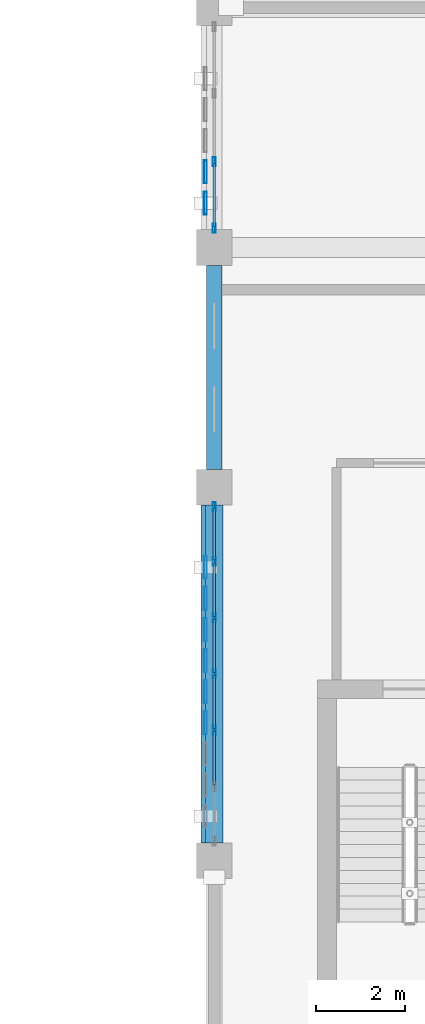
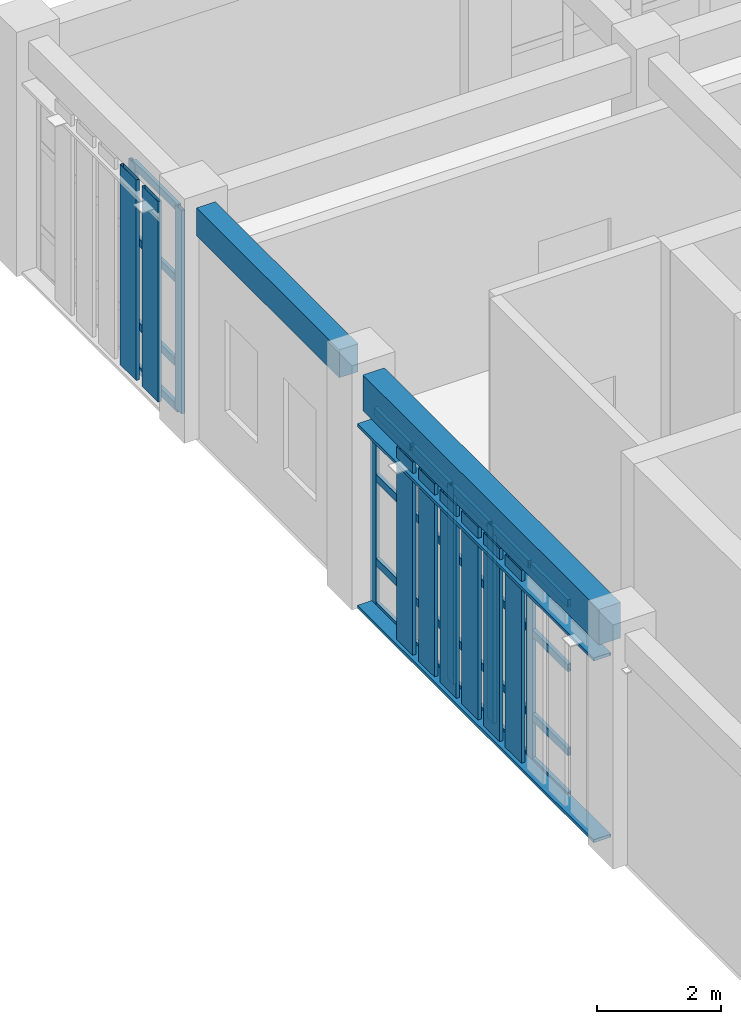
# One storey, part 41 of 76: 41 members, 2 beams, 2 elements without a shape of their own.
"""IFC4 building model written with IfcOpenShell, lengths in metres."""

from ifc_helpers import new_model, si_unit, direction, frame, origin, origin_2d, place, context, subcontext, project, spatial, rectangle, hollow_rectangle, extrude, material, layer, layer_set, material_profile, profile_set, type_object, element, aggregate, save


model = new_model("IFC4")

# Units and contexts
model_context = context("Model", 3, precision=1e-05, world=origin(), true_north=direction((0.0, 1.0)))
body_context = subcontext(model_context, "Body", "Model", "MODEL_VIEW")
ifc_project = project(units=[si_unit("LENGTHUNIT", "METRE"), si_unit("AREAUNIT", "SQUARE_METRE"), si_unit("VOLUMEUNIT", "CUBIC_METRE"), si_unit("PLANEANGLEUNIT", "RADIAN"), si_unit("MASSUNIT", "GRAM", prefix="KILO")], contexts=[model_context])

# Site, building, storey
site_placement = place(None, origin())
site = spatial("IfcSite", under=ifc_project, at=site_placement, CompositionType="ELEMENT")
building_placement = place(site_placement, origin())
building = spatial("IfcBuilding", under=site, at=building_placement, Name="Krzemoval Escarpment Law Courts", CompositionType="ELEMENT")
storey_placement = place(building_placement, frame((0.0, 0.0, 20.39990234375)))
storey = spatial("IfcBuildingStorey", under=building, at=storey_placement, Name="L04", CompositionType="ELEMENT", Elevation=20.39990234375)

# Beams
ifc_material_1 = material(Name="Concrete C40/50", Category="concrete")
ifc_material_profile_1 = material_profile(ifc_material_1, rectangle(XDim=0.35009765625, YDim=0.550048828125, at=origin_2d()), Name="RCB 350x550")
ifc_profile_set_1 = profile_set([ifc_material_profile_1], Name="Concrete C40/50")
beam_type_1 = type_object("IfcBeamType", Name="BM-RC-350x550", PredefinedType="BEAM", material=ifc_profile_set_1)
beam_1_placement = place(storey_placement, frame((126.0, 108.39990234375, 4.275146484375), z_axis=(0.0, 1.0, 0.0), x_axis=(-1.0, 0.0, 0.0)))
element("IfcBeam", 1, at=beam_1_placement, inside=storey, type_object=beam_type_1, Name="Beam FG-L04-2510", PredefinedType="BEAM", context=body_context, shape_type="SweptSolid", body=[
    extrude(rectangle(XDim=0.35009765625, YDim=0.550048828125, at=origin_2d()), origin(), (0.0, 0.0, 1.0), 4.60009765625),
])
ifc_material_2 = material(Name="Concrete C40/50", Category="concrete")
ifc_material_profile_2 = material_profile(ifc_material_2, rectangle(XDim=0.39990234375, YDim=0.699951171875, at=origin_2d()), Name="RCB 400x700")
ifc_profile_set_2 = profile_set([ifc_material_profile_2], Name="Concrete C40/50")
beam_type_2 = type_object("IfcBeamType", Name="BM-RC-400x700", PredefinedType="BEAM", material=ifc_profile_set_2)
beam_2_placement = place(storey_placement, frame((126.0, 100.0, 4.2001953125), z_axis=(0.0, 1.0, 0.0), x_axis=(-1.0, 0.0, 0.0)))
element("IfcBeam", 2, at=beam_2_placement, inside=storey, type_object=beam_type_2, Name="Beam FG-L04-2509", PredefinedType="BEAM", context=body_context, shape_type="SweptSolid", body=[
    extrude(rectangle(XDim=0.39990234375, YDim=0.699951171875, at=origin_2d()), origin(), (0.0, 0.0, 1.0), 7.60009765625),
])

# Curtain wall, members
ifc_material_3 = material(Name="Aluminium 6063-T6", Category="aluminium")
ifc_layer = layer(ifc_material_3, 0.219970703125)
ifc_layer_set = layer_set([ifc_layer], Name="Aluminium 6063-T6")
curtain_wall_type = type_object("IfcCurtainWallType", Name="CW-CHMB-4200", PredefinedType="USERDEFINED", material=ifc_layer_set)
curtain_wall_1_placement = place(storey_placement, origin())
curtain_wall_1 = element("IfcCurtainWall", 3, at=curtain_wall_1_placement, inside=storey, type_object=curtain_wall_type, Name="Unitised Curtain Wall FCW-L04-124", ObjectType="UNITISED_CURTAIN_WALL", PredefinedType="USERDEFINED")
ifc_material_4 = material(Name="Aluminium 6063-T6", Category="aluminium")
ifc_material_profile_3 = material_profile(ifc_material_4, hollow_rectangle(XDim=0.06494140625, YDim=0.199951171875, WallThickness=0.00439453125, at=origin_2d()), Name="ALU M65x200")
ifc_profile_set_3 = profile_set([ifc_material_profile_3], Name="Aluminium 6063-T6")
member_type_1 = type_object("IfcMemberType", Name="CWM-65x200", PredefinedType="MULLION", material=ifc_profile_set_3)
member_1_placement = place(storey_placement, frame((126.0, 102.533447265625, 0.0), z_axis=(0.0, 0.0, 1.0), x_axis=(-1.0, 0.0, 0.0)))
member_1 = element("IfcMember", 4, at=member_1_placement, type_object=member_type_1, Name="FCW-L04-124 mullion 3", PredefinedType="MULLION", context=body_context, shape_type="SweptSolid", body=[
    extrude(hollow_rectangle(XDim=0.06494140625, YDim=0.199951171875, WallThickness=0.00439453125, at=origin_2d()), origin(), (0.0, 0.0, 1.0), 3.85009765625),
])
member_2_placement = place(storey_placement, frame((126.0, 103.800048828125, 0.0), z_axis=(0.0, 0.0, 1.0), x_axis=(-1.0, 0.0, 0.0)))
member_2 = element("IfcMember", 5, at=member_2_placement, type_object=member_type_1, Name="FCW-L04-124 mullion 4", PredefinedType="MULLION", context=body_context, shape_type="SweptSolid", body=[
    extrude(hollow_rectangle(XDim=0.06494140625, YDim=0.199951171875, WallThickness=0.00439453125, at=origin_2d()), origin(), (0.0, 0.0, 1.0), 3.85009765625),
])
member_3_placement = place(storey_placement, frame((126.0, 105.066650390625, 0.0), z_axis=(0.0, 0.0, 1.0), x_axis=(-1.0, 0.0, 0.0)))
member_3 = element("IfcMember", 6, at=member_3_placement, type_object=member_type_1, Name="FCW-L04-124 mullion 5", PredefinedType="MULLION", context=body_context, shape_type="SweptSolid", body=[
    extrude(hollow_rectangle(XDim=0.06494140625, YDim=0.199951171875, WallThickness=0.00439453125, at=origin_2d()), origin(), (0.0, 0.0, 1.0), 3.85009765625),
])
member_4_placement = place(storey_placement, frame((126.0, 106.333251953125, 0.0), z_axis=(0.0, 0.0, 1.0), x_axis=(-1.0, 0.0, 0.0)))
member_4 = element("IfcMember", 7, at=member_4_placement, type_object=member_type_1, Name="FCW-L04-124 mullion 6", PredefinedType="MULLION", context=body_context, shape_type="SweptSolid", body=[
    extrude(hollow_rectangle(XDim=0.06494140625, YDim=0.199951171875, WallThickness=0.00439453125, at=origin_2d()), origin(), (0.0, 0.0, 1.0), 3.85009765625),
])
member_5_placement = place(storey_placement, frame((126.0, 107.5673828125, 0.0), z_axis=(0.0, 0.0, 1.0), x_axis=(-1.0, 0.0, 0.0)))
member_5 = element("IfcMember", 8, at=member_5_placement, type_object=member_type_1, Name="FCW-L04-124 mullion 7", PredefinedType="MULLION", context=body_context, shape_type="SweptSolid", body=[
    extrude(hollow_rectangle(XDim=0.06494140625, YDim=0.199951171875, WallThickness=0.00439453125, at=origin_2d()), origin(), (0.0, 0.0, 1.0), 3.85009765625),
])

curtain_wall_2_placement = place(storey_placement, origin())
curtain_wall_2 = element("IfcCurtainWall", 9, at=curtain_wall_2_placement, inside=storey, type_object=curtain_wall_type, Name="Unitised Curtain Wall FCW-L04-125", ObjectType="UNITISED_CURTAIN_WALL", PredefinedType="USERDEFINED")
member_6_placement = place(storey_placement, frame((126.0, 113.83251953125, 0.0), z_axis=(0.0, 0.0, 1.0), x_axis=(-1.0, 0.0, 0.0)))
member_6 = element("IfcMember", 10, at=member_6_placement, type_object=member_type_1, Name="FCW-L04-125 mullion 1", PredefinedType="MULLION", context=body_context, shape_type="SweptSolid", body=[
    extrude(hollow_rectangle(XDim=0.06494140625, YDim=0.199951171875, WallThickness=0.00439453125, at=origin_2d()), origin(), (0.0, 0.0, 1.0), 4.0),
])
member_7_placement = place(storey_placement, frame((126.0, 115.333251953125, 0.0), z_axis=(0.0, 0.0, 1.0), x_axis=(-1.0, 0.0, 0.0)))
member_7 = element("IfcMember", 11, at=member_7_placement, type_object=member_type_1, Name="FCW-L04-125 mullion 2", PredefinedType="MULLION", context=body_context, shape_type="SweptSolid", body=[
    extrude(hollow_rectangle(XDim=0.06494140625, YDim=0.199951171875, WallThickness=0.00439453125, at=origin_2d()), origin(), (0.0, 0.0, 1.0), 4.0),
])

# Member
ifc_material_5 = material(Name="Aluminium 6063-T6", Category="aluminium")
ifc_material_profile_4 = material_profile(ifc_material_5, hollow_rectangle(XDim=0.06494140625, YDim=0.14990234375, WallThickness=0.00439453125, at=origin_2d()), Name="ALU T65x150")
ifc_profile_set_4 = profile_set([ifc_material_profile_4], Name="Aluminium 6063-T6")
member_type_2 = type_object("IfcMemberType", Name="CWT-65x150", PredefinedType="USERDEFINED", material=ifc_profile_set_4)
member_8_placement = place(storey_placement, frame((126.0, 101.299072265625, 0.03271484375), z_axis=(0.0, 1.0, 0.0), x_axis=(-1.0, 0.0, 0.0)))
member_8 = element("IfcMember", 12, at=member_8_placement, type_object=member_type_2, Name="FCW-L04-124 transom 2.1", ObjectType="TRANSOM", PredefinedType="USERDEFINED", context=body_context, shape_type="SweptSolid", body=[
    extrude(hollow_rectangle(XDim=0.06494140625, YDim=0.14990234375, WallThickness=0.00439453125, at=origin_2d()), origin(), (0.0, 0.0, 1.0), 1.20166015625),
])

member_9_placement = place(storey_placement, frame((126.0, 101.299072265625, 0.900146484375), z_axis=(0.0, 1.0, 0.0), x_axis=(-1.0, 0.0, 0.0)))
member_9 = element("IfcMember", 13, at=member_9_placement, type_object=member_type_2, Name="FCW-L04-124 transom 2.2", ObjectType="TRANSOM", PredefinedType="USERDEFINED", context=body_context, shape_type="SweptSolid", body=[
    extrude(hollow_rectangle(XDim=0.06494140625, YDim=0.14990234375, WallThickness=0.00439453125, at=origin_2d()), origin(), (0.0, 0.0, 1.0), 1.20166015625),
])

member_10_placement = place(storey_placement, frame((126.0, 101.299072265625, 2.550048828125), z_axis=(0.0, 1.0, 0.0), x_axis=(-1.0, 0.0, 0.0)))
member_10 = element("IfcMember", 14, at=member_10_placement, type_object=member_type_2, Name="FCW-L04-124 transom 2.3", ObjectType="TRANSOM", PredefinedType="USERDEFINED", context=body_context, shape_type="SweptSolid", body=[
    extrude(hollow_rectangle(XDim=0.06494140625, YDim=0.14990234375, WallThickness=0.00439453125, at=origin_2d()), origin(), (0.0, 0.0, 1.0), 1.20166015625),
])

member_11_placement = place(storey_placement, frame((126.0, 101.299072265625, 3.817626953125), z_axis=(0.0, 1.0, 0.0), x_axis=(-1.0, 0.0, 0.0)))
member_11 = element("IfcMember", 15, at=member_11_placement, type_object=member_type_2, Name="FCW-L04-124 transom 2.4", ObjectType="TRANSOM", PredefinedType="USERDEFINED", context=body_context, shape_type="SweptSolid", body=[
    extrude(hollow_rectangle(XDim=0.06494140625, YDim=0.14990234375, WallThickness=0.00439453125, at=origin_2d()), origin(), (0.0, 0.0, 1.0), 1.20166015625),
])

member_12_placement = place(storey_placement, frame((126.0, 102.56591796875, 0.03271484375), z_axis=(0.0, 1.0, 0.0), x_axis=(-1.0, 0.0, 0.0)))
member_12 = element("IfcMember", 16, at=member_12_placement, type_object=member_type_2, Name="FCW-L04-124 transom 3.1", ObjectType="TRANSOM", PredefinedType="USERDEFINED", context=body_context, shape_type="SweptSolid", body=[
    extrude(hollow_rectangle(XDim=0.06494140625, YDim=0.14990234375, WallThickness=0.00439453125, at=origin_2d()), origin(), (0.0, 0.0, 1.0), 1.20166015625),
])

member_13_placement = place(storey_placement, frame((126.0, 102.56591796875, 0.900146484375), z_axis=(0.0, 1.0, 0.0), x_axis=(-1.0, 0.0, 0.0)))
member_13 = element("IfcMember", 17, at=member_13_placement, type_object=member_type_2, Name="FCW-L04-124 transom 3.2", ObjectType="TRANSOM", PredefinedType="USERDEFINED", context=body_context, shape_type="SweptSolid", body=[
    extrude(hollow_rectangle(XDim=0.06494140625, YDim=0.14990234375, WallThickness=0.00439453125, at=origin_2d()), origin(), (0.0, 0.0, 1.0), 1.20166015625),
])

member_14_placement = place(storey_placement, frame((126.0, 102.56591796875, 2.550048828125), z_axis=(0.0, 1.0, 0.0), x_axis=(-1.0, 0.0, 0.0)))
member_14 = element("IfcMember", 18, at=member_14_placement, type_object=member_type_2, Name="FCW-L04-124 transom 3.3", ObjectType="TRANSOM", PredefinedType="USERDEFINED", context=body_context, shape_type="SweptSolid", body=[
    extrude(hollow_rectangle(XDim=0.06494140625, YDim=0.14990234375, WallThickness=0.00439453125, at=origin_2d()), origin(), (0.0, 0.0, 1.0), 1.20166015625),
])

member_15_placement = place(storey_placement, frame((126.0, 102.56591796875, 3.817626953125), z_axis=(0.0, 1.0, 0.0), x_axis=(-1.0, 0.0, 0.0)))
member_15 = element("IfcMember", 19, at=member_15_placement, type_object=member_type_2, Name="FCW-L04-124 transom 3.4", ObjectType="TRANSOM", PredefinedType="USERDEFINED", context=body_context, shape_type="SweptSolid", body=[
    extrude(hollow_rectangle(XDim=0.06494140625, YDim=0.14990234375, WallThickness=0.00439453125, at=origin_2d()), origin(), (0.0, 0.0, 1.0), 1.20166015625),
])

member_16_placement = place(storey_placement, frame((126.0, 103.83251953125, 0.03271484375), z_axis=(0.0, 1.0, 0.0), x_axis=(-1.0, 0.0, 0.0)))
member_16 = element("IfcMember", 20, at=member_16_placement, type_object=member_type_2, Name="FCW-L04-124 transom 4.1", ObjectType="TRANSOM", PredefinedType="USERDEFINED", context=body_context, shape_type="SweptSolid", body=[
    extrude(hollow_rectangle(XDim=0.06494140625, YDim=0.14990234375, WallThickness=0.00439453125, at=origin_2d()), origin(), (0.0, 0.0, 1.0), 1.20166015625),
])

member_17_placement = place(storey_placement, frame((126.0, 103.83251953125, 0.900146484375), z_axis=(0.0, 1.0, 0.0), x_axis=(-1.0, 0.0, 0.0)))
member_17 = element("IfcMember", 21, at=member_17_placement, type_object=member_type_2, Name="FCW-L04-124 transom 4.2", ObjectType="TRANSOM", PredefinedType="USERDEFINED", context=body_context, shape_type="SweptSolid", body=[
    extrude(hollow_rectangle(XDim=0.06494140625, YDim=0.14990234375, WallThickness=0.00439453125, at=origin_2d()), origin(), (0.0, 0.0, 1.0), 1.20166015625),
])

member_18_placement = place(storey_placement, frame((126.0, 103.83251953125, 2.550048828125), z_axis=(0.0, 1.0, 0.0), x_axis=(-1.0, 0.0, 0.0)))
member_18 = element("IfcMember", 22, at=member_18_placement, type_object=member_type_2, Name="FCW-L04-124 transom 4.3", ObjectType="TRANSOM", PredefinedType="USERDEFINED", context=body_context, shape_type="SweptSolid", body=[
    extrude(hollow_rectangle(XDim=0.06494140625, YDim=0.14990234375, WallThickness=0.00439453125, at=origin_2d()), origin(), (0.0, 0.0, 1.0), 1.20166015625),
])

member_19_placement = place(storey_placement, frame((126.0, 103.83251953125, 3.817626953125), z_axis=(0.0, 1.0, 0.0), x_axis=(-1.0, 0.0, 0.0)))
member_19 = element("IfcMember", 23, at=member_19_placement, type_object=member_type_2, Name="FCW-L04-124 transom 4.4", ObjectType="TRANSOM", PredefinedType="USERDEFINED", context=body_context, shape_type="SweptSolid", body=[
    extrude(hollow_rectangle(XDim=0.06494140625, YDim=0.14990234375, WallThickness=0.00439453125, at=origin_2d()), origin(), (0.0, 0.0, 1.0), 1.20166015625),
])

member_20_placement = place(storey_placement, frame((126.0, 105.09912109375, 0.03271484375), z_axis=(0.0, 1.0, 0.0), x_axis=(-1.0, 0.0, 0.0)))
member_20 = element("IfcMember", 24, at=member_20_placement, type_object=member_type_2, Name="FCW-L04-124 transom 5.1", ObjectType="TRANSOM", PredefinedType="USERDEFINED", context=body_context, shape_type="SweptSolid", body=[
    extrude(hollow_rectangle(XDim=0.06494140625, YDim=0.14990234375, WallThickness=0.00439453125, at=origin_2d()), origin(), (0.0, 0.0, 1.0), 1.20166015625),
])

member_21_placement = place(storey_placement, frame((126.0, 105.09912109375, 0.900146484375), z_axis=(0.0, 1.0, 0.0), x_axis=(-1.0, 0.0, 0.0)))
member_21 = element("IfcMember", 25, at=member_21_placement, type_object=member_type_2, Name="FCW-L04-124 transom 5.2", ObjectType="TRANSOM", PredefinedType="USERDEFINED", context=body_context, shape_type="SweptSolid", body=[
    extrude(hollow_rectangle(XDim=0.06494140625, YDim=0.14990234375, WallThickness=0.00439453125, at=origin_2d()), origin(), (0.0, 0.0, 1.0), 1.20166015625),
])

member_22_placement = place(storey_placement, frame((126.0, 105.09912109375, 2.550048828125), z_axis=(0.0, 1.0, 0.0), x_axis=(-1.0, 0.0, 0.0)))
member_22 = element("IfcMember", 26, at=member_22_placement, type_object=member_type_2, Name="FCW-L04-124 transom 5.3", ObjectType="TRANSOM", PredefinedType="USERDEFINED", context=body_context, shape_type="SweptSolid", body=[
    extrude(hollow_rectangle(XDim=0.06494140625, YDim=0.14990234375, WallThickness=0.00439453125, at=origin_2d()), origin(), (0.0, 0.0, 1.0), 1.20166015625),
])

member_23_placement = place(storey_placement, frame((126.0, 105.09912109375, 3.817626953125), z_axis=(0.0, 1.0, 0.0), x_axis=(-1.0, 0.0, 0.0)))
member_23 = element("IfcMember", 27, at=member_23_placement, type_object=member_type_2, Name="FCW-L04-124 transom 5.4", ObjectType="TRANSOM", PredefinedType="USERDEFINED", context=body_context, shape_type="SweptSolid", body=[
    extrude(hollow_rectangle(XDim=0.06494140625, YDim=0.14990234375, WallThickness=0.00439453125, at=origin_2d()), origin(), (0.0, 0.0, 1.0), 1.20166015625),
])

member_24_placement = place(storey_placement, frame((126.0, 106.36572265625, 0.03271484375), z_axis=(0.0, 1.0, 0.0), x_axis=(-1.0, 0.0, 0.0)))
member_24 = element("IfcMember", 28, at=member_24_placement, type_object=member_type_2, Name="FCW-L04-124 transom 6.1", ObjectType="TRANSOM", PredefinedType="USERDEFINED", context=body_context, shape_type="SweptSolid", body=[
    extrude(hollow_rectangle(XDim=0.06494140625, YDim=0.14990234375, WallThickness=0.00439453125, at=origin_2d()), origin(), (0.0, 0.0, 1.0), 1.169189453125),
])

member_25_placement = place(storey_placement, frame((126.0, 106.36572265625, 0.900146484375), z_axis=(0.0, 1.0, 0.0), x_axis=(-1.0, 0.0, 0.0)))
member_25 = element("IfcMember", 29, at=member_25_placement, type_object=member_type_2, Name="FCW-L04-124 transom 6.2", ObjectType="TRANSOM", PredefinedType="USERDEFINED", context=body_context, shape_type="SweptSolid", body=[
    extrude(hollow_rectangle(XDim=0.06494140625, YDim=0.14990234375, WallThickness=0.00439453125, at=origin_2d()), origin(), (0.0, 0.0, 1.0), 1.169189453125),
])

member_26_placement = place(storey_placement, frame((126.0, 106.36572265625, 2.550048828125), z_axis=(0.0, 1.0, 0.0), x_axis=(-1.0, 0.0, 0.0)))
member_26 = element("IfcMember", 30, at=member_26_placement, type_object=member_type_2, Name="FCW-L04-124 transom 6.3", ObjectType="TRANSOM", PredefinedType="USERDEFINED", context=body_context, shape_type="SweptSolid", body=[
    extrude(hollow_rectangle(XDim=0.06494140625, YDim=0.14990234375, WallThickness=0.00439453125, at=origin_2d()), origin(), (0.0, 0.0, 1.0), 1.169189453125),
])

member_27_placement = place(storey_placement, frame((126.0, 106.36572265625, 3.817626953125), z_axis=(0.0, 1.0, 0.0), x_axis=(-1.0, 0.0, 0.0)))
member_27 = element("IfcMember", 31, at=member_27_placement, type_object=member_type_2, Name="FCW-L04-124 transom 6.4", ObjectType="TRANSOM", PredefinedType="USERDEFINED", context=body_context, shape_type="SweptSolid", body=[
    extrude(hollow_rectangle(XDim=0.06494140625, YDim=0.14990234375, WallThickness=0.00439453125, at=origin_2d()), origin(), (0.0, 0.0, 1.0), 1.169189453125),
])

aggregate(curtain_wall_1, [member_1, member_2, member_3, member_4, member_5, member_8, member_9, member_10, member_11, member_12, member_13, member_14, member_15, member_16, member_17, member_18, member_19, member_20, member_21, member_22, member_23, member_24, member_25, member_26, member_27])

member_28_placement = place(storey_placement, frame((126.0, 113.864990234375, 0.03271484375), z_axis=(0.0, 1.0, 0.0), x_axis=(-1.0, 0.0, 0.0)))
member_28 = element("IfcMember", 32, at=member_28_placement, type_object=member_type_2, Name="FCW-L04-125 transom 1.1", ObjectType="TRANSOM", PredefinedType="USERDEFINED", context=body_context, shape_type="SweptSolid", body=[
    extrude(hollow_rectangle(XDim=0.06494140625, YDim=0.14990234375, WallThickness=0.00439453125, at=origin_2d()), origin(), (0.0, 0.0, 1.0), 1.435791015625),
])

member_29_placement = place(storey_placement, frame((126.0, 113.864990234375, 0.900146484375), z_axis=(0.0, 1.0, 0.0), x_axis=(-1.0, 0.0, 0.0)))
member_29 = element("IfcMember", 33, at=member_29_placement, type_object=member_type_2, Name="FCW-L04-125 transom 1.2", ObjectType="TRANSOM", PredefinedType="USERDEFINED", context=body_context, shape_type="SweptSolid", body=[
    extrude(hollow_rectangle(XDim=0.06494140625, YDim=0.14990234375, WallThickness=0.00439453125, at=origin_2d()), origin(), (0.0, 0.0, 1.0), 1.435791015625),
])

member_30_placement = place(storey_placement, frame((126.0, 113.864990234375, 2.550048828125), z_axis=(0.0, 1.0, 0.0), x_axis=(-1.0, 0.0, 0.0)))
member_30 = element("IfcMember", 34, at=member_30_placement, type_object=member_type_2, Name="FCW-L04-125 transom 1.3", ObjectType="TRANSOM", PredefinedType="USERDEFINED", context=body_context, shape_type="SweptSolid", body=[
    extrude(hollow_rectangle(XDim=0.06494140625, YDim=0.14990234375, WallThickness=0.00439453125, at=origin_2d()), origin(), (0.0, 0.0, 1.0), 1.435791015625),
])

member_31_placement = place(storey_placement, frame((126.0, 113.864990234375, 3.967529296875), z_axis=(0.0, 1.0, 0.0), x_axis=(-1.0, 0.0, 0.0)))
member_31 = element("IfcMember", 35, at=member_31_placement, type_object=member_type_2, Name="FCW-L04-125 transom 1.4", ObjectType="TRANSOM", PredefinedType="USERDEFINED", context=body_context, shape_type="SweptSolid", body=[
    extrude(hollow_rectangle(XDim=0.06494140625, YDim=0.14990234375, WallThickness=0.00439453125, at=origin_2d()), origin(), (0.0, 0.0, 1.0), 1.435791015625),
])

aggregate(curtain_wall_2, [member_6, member_7, member_28, member_29, member_30, member_31])

# Members
ifc_material_6 = material(Name="Anodised Aluminium Alloy 6063-T6", Category="aluminium")
ifc_material_profile_5 = material_profile(ifc_material_6, hollow_rectangle(XDim=0.06005859375, YDim=0.320068359375, WallThickness=0.00390625, at=origin_2d()), Name="ALU LVR 60x320")
ifc_profile_set_5 = profile_set([ifc_material_profile_5], Name="Anodised Aluminium Alloy 6063-T6")
member_type_3 = type_object("IfcMemberType", Name="LVR-ALU-320", PredefinedType="USERDEFINED", material=ifc_profile_set_5)
for number, where, z_axis, x_axis, name in (
    (36, (125.860107421875, 100.0, 0.030029296875), (0.0, 1.0, 0.0), (0.0, 0.0, 1.0), "Sunshade Support Rail FSR-L04-0848"),
    (37, (125.860107421875, 100.0, 3.60009765625), (0.0, 1.0, 0.0), (0.0, 0.0, 1.0), "Sunshade Support Rail FSR-L04-0849"),
):
    element("IfcMember", number, at=place(storey_placement, frame(where, z_axis=z_axis, x_axis=x_axis)), inside=storey, type_object=member_type_3, Name=name, ObjectType="SUNSHADE_LOUVRE", PredefinedType="USERDEFINED", context=body_context, shape_type="SweptSolid", body=[
        extrude(hollow_rectangle(XDim=0.06005859375, YDim=0.320068359375, WallThickness=0.00390625, at=origin_2d()), origin(), (0.0, 0.0, 1.0), 7.60009765625),
    ])
ifc_material_7 = material(Name="Anodised Aluminium Alloy 6063-T6", Category="aluminium")
ifc_material_profile_6 = material_profile(ifc_material_7, hollow_rectangle(XDim=0.06494140625, YDim=0.52001953125, WallThickness=0.00439453125, at=origin_2d()), Name="ALU LVR 65x520")
ifc_profile_set_6 = profile_set([ifc_material_profile_6], Name="Anodised Aluminium Alloy 6063-T6")
member_type_4 = type_object("IfcMemberType", Name="LVR-ALU-520", PredefinedType="USERDEFINED", material=ifc_profile_set_6)
for number, where, z_axis, x_axis, name in (
    (38, (125.800048828125, 102.699951171875, 0.06005859375), (0.0, 0.0, 1.0), (1.0, 0.0, 0.0), "Sunshade Louvre Fin FLV-L04-0853"),
    (39, (125.800048828125, 103.39990234375, 0.06005859375), (0.0, 0.0, 1.0), (1.0, 0.0, 0.0), "Sunshade Louvre Fin FLV-L04-0854"),
    (40, (125.800048828125, 104.10009765625, 0.06005859375), (0.0, 0.0, 1.0), (1.0, 0.0, 0.0), "Sunshade Louvre Fin FLV-L04-0855"),
    (41, (125.800048828125, 104.800048828125, 0.06005859375), (0.0, 0.0, 1.0), (1.0, 0.0, 0.0), "Sunshade Louvre Fin FLV-L04-0856"),
    (42, (125.800048828125, 105.5, 0.06005859375), (0.0, 0.0, 1.0), (1.0, 0.0, 0.0), "Sunshade Louvre Fin FLV-L04-0857"),
    (43, (125.800048828125, 106.199951171875, 0.06005859375), (0.0, 0.0, 1.0), (1.0, 0.0, 0.0), "Sunshade Louvre Fin FLV-L04-0858"),
):
    element("IfcMember", number, at=place(storey_placement, frame(where, z_axis=z_axis, x_axis=x_axis)), inside=storey, type_object=member_type_4, Name=name, ObjectType="SUNSHADE_LOUVRE", PredefinedType="USERDEFINED", context=body_context, shape_type="SweptSolid", body=[
        extrude(hollow_rectangle(XDim=0.06494140625, YDim=0.52001953125, WallThickness=0.00439453125, at=origin_2d()), origin(), (0.0, 0.0, 1.0), 3.7900390625),
    ])
for number, where, z_axis, x_axis, name in (
    (44, (125.800048828125, 114.39990234375, 0.06005859375), (0.0, 0.0, 1.0), (1.0, 0.0, 0.0), "Sunshade Louvre Fin FLV-L04-0861"),
    (45, (125.800048828125, 115.10009765625, 0.06005859375), (0.0, 0.0, 1.0), (1.0, 0.0, 0.0), "Sunshade Louvre Fin FLV-L04-0862"),
):
    element("IfcMember", number, at=place(storey_placement, frame(where, z_axis=z_axis, x_axis=x_axis)), inside=storey, type_object=member_type_4, Name=name, ObjectType="SUNSHADE_LOUVRE", PredefinedType="USERDEFINED", context=body_context, shape_type="SweptSolid", body=[
        extrude(hollow_rectangle(XDim=0.06494140625, YDim=0.52001953125, WallThickness=0.00439453125, at=origin_2d()), origin(), (0.0, 0.0, 1.0), 3.93994140625),
    ])

save(model, "model.ifc")
